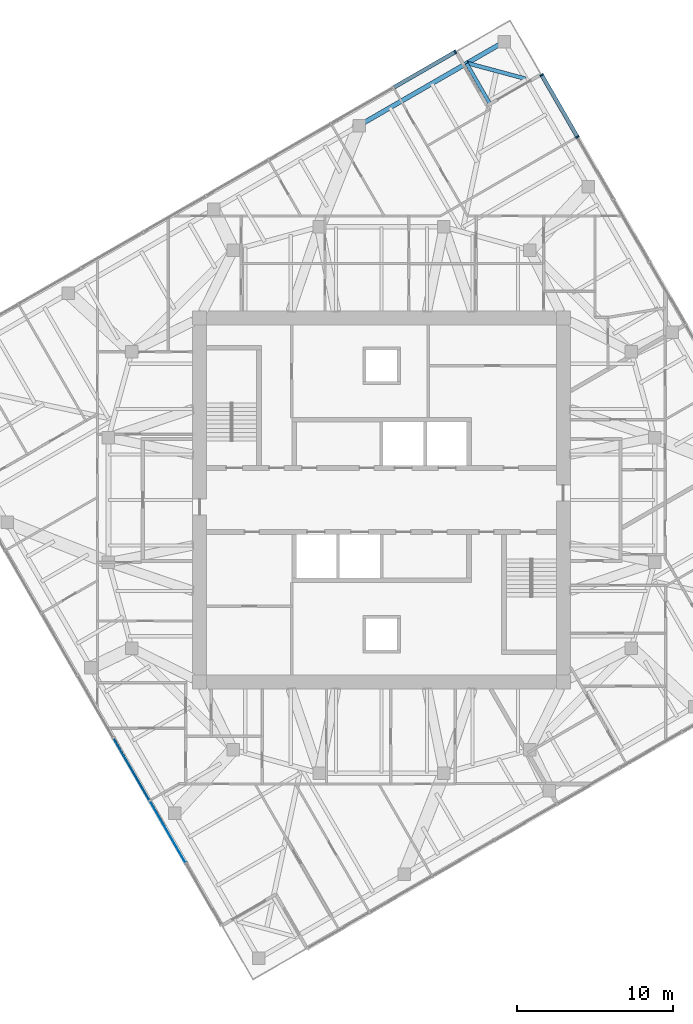
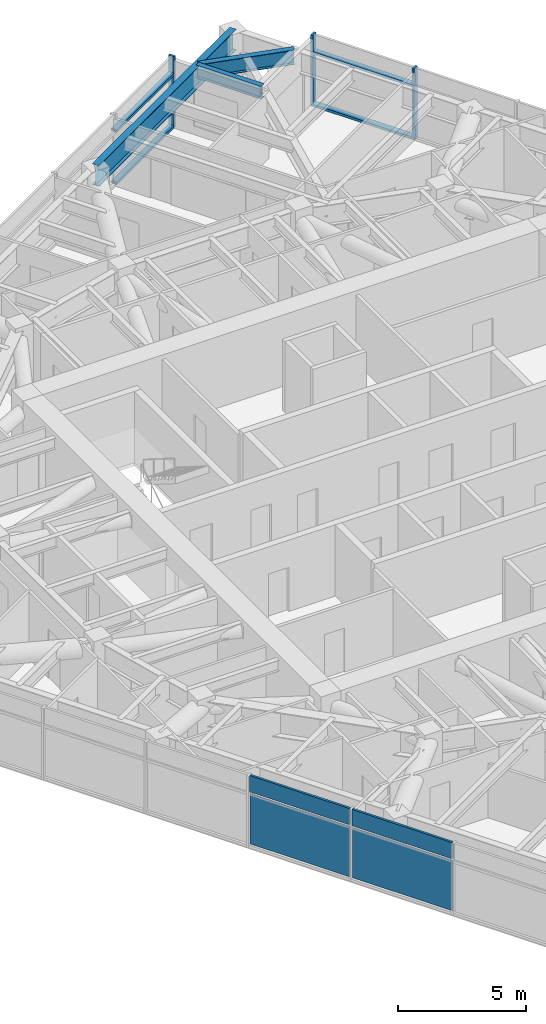
# One storey, part 7 of 16: 7 members, 4 plates, 3 beams, 3 elements without a shape of their own.
"""IFC4 building model written with IfcOpenShell, lengths in metres."""

from ifc_helpers import new_model, si_unit, direction, frame, origin, origin_2d, place, context, subcontext, project, spatial, rectangle, i_section, extrude, material, layer, layer_set, material_profile, profile_set, type_object, element, aggregate, save


model = new_model("IFC4")

# Units and contexts
model_context = context("Model", 3, precision=1e-05, world=origin(), true_north=direction((0.0, 1.0)))
body_context = subcontext(model_context, "Body", "Model", "MODEL_VIEW")
ifc_project = project(units=[si_unit("LENGTHUNIT", "METRE"), si_unit("AREAUNIT", "SQUARE_METRE"), si_unit("VOLUMEUNIT", "CUBIC_METRE"), si_unit("PLANEANGLEUNIT", "RADIAN"), si_unit("MASSUNIT", "GRAM", prefix="KILO")], contexts=[model_context])

# Site, building, storey
site_placement = place(None, origin())
site = spatial("IfcSite", under=ifc_project, at=site_placement, CompositionType="ELEMENT")
building_placement = place(site_placement, origin())
building = spatial("IfcBuilding", under=site, at=building_placement, Name="Torsade Residences", CompositionType="ELEMENT")
storey_placement = place(building_placement, frame((0.0, 0.0, 232.0)))
storey = spatial("IfcBuildingStorey", under=building, at=storey_placement, Name="L64", CompositionType="ELEMENT", Elevation=232.0)

# Beam
ifc_material_1 = material(Name="Steel grade 300", Category="steel")
ifc_material_profile_1 = material_profile(ifc_material_1, i_section(OverallWidth=0.25, OverallDepth=0.699951171875, WebThickness=0.010009765625, FlangeThickness=0.02001953125, at=origin_2d()), Name="700WB130")
ifc_profile_set_1 = profile_set([ifc_material_profile_1], Name="Steel grade 300")
beam_type_1 = type_object("IfcBeamType", Name="CORNER TRIMMER 700WB130", PredefinedType="BEAM", material=ifc_profile_set_1)
beam_1_placement = place(storey_placement, frame((45.488037109375, 57.99462890625, 2.85009765625), z_axis=(0.965924794002, -0.258822897619, 0.0), x_axis=(0.258822897619, 0.965924794002, 0.0)))
element("IfcBeam", 1, at=beam_1_placement, inside=storey, type_object=beam_type_1, Name="Corner trimmer 09 L65", PredefinedType="BEAM", context=body_context, shape_type="SweptSolid", body=[
    extrude(i_section(OverallWidth=0.25, OverallDepth=0.699951171875, WebThickness=0.010009765625, FlangeThickness=0.02001953125, at=origin_2d()), origin(), (0.0, 0.0, 1.0), 3.88916015625),
])

# Curtain wall, members
ifc_material_2 = material(Name="Aluminium and glass", Category="aluminium")
curtain_wall_type = type_object("IfcCurtainWallType", Name="FRITTED GLASS CURTAIN WALL HIGH ZONE", PredefinedType="NOTDEFINED", material=ifc_material_2)
curtain_wall_1_placement = place(storey_placement, origin())
curtain_wall_1 = element("IfcCurtainWall", 2, at=curtain_wall_1_placement, inside=storey, type_object=curtain_wall_type, Name="Curtain wall L64 face 4", PredefinedType="NOTDEFINED")
ifc_material_3 = material(Name="Aluminium mullion", Category="aluminium")
ifc_material_profile_2 = material_profile(ifc_material_3, rectangle(XDim=0.25, YDim=0.10009765625, at=origin_2d()), Name="HIGH ZONE CURTAIN WALL MULLION 250x100")
ifc_profile_set_2 = profile_set([ifc_material_profile_2], Name="Aluminium mullion")
member_type_1 = type_object("IfcMemberType", Name="HIGH ZONE CURTAIN WALL MULLION 250x100", PredefinedType="MULLION", material=ifc_profile_set_2)
member_1_placement = place(storey_placement, frame((52.548095703125, 53.26611328125, 0.0), z_axis=(0.0, 0.0, 1.0), x_axis=(-0.866025404186, -0.499999999305, 0.0)))
member_1 = element("IfcMember", 3, at=member_1_placement, type_object=member_type_1, Name="Mullion 8", PredefinedType="MULLION", context=body_context, shape_type="SweptSolid", body=[
    extrude(rectangle(XDim=0.25, YDim=0.10009765625, at=origin_2d()), origin(), (0.0, 0.0, 1.0), 3.39990234375),
])
member_2_placement = place(storey_placement, frame((50.260498046875, 57.228271484375, 0.0), z_axis=(0.0, 0.0, 1.0), x_axis=(-0.866025404186, -0.499999999305, 0.0)))
member_2 = element("IfcMember", 4, at=member_2_placement, type_object=member_type_1, Name="Mullion 9", PredefinedType="MULLION", context=body_context, shape_type="SweptSolid", body=[
    extrude(rectangle(XDim=0.25, YDim=0.10009765625, at=origin_2d()), origin(), (0.0, 0.0, 1.0), 3.39990234375),
])

# Curtain wall, member
curtain_wall_2_placement = place(storey_placement, origin())
curtain_wall_2 = element("IfcCurtainWall", 5, at=curtain_wall_2_placement, inside=storey, type_object=curtain_wall_type, Name="Curtain wall L64 face 7", PredefinedType="NOTDEFINED")
member_3_placement = place(storey_placement, frame((44.728271484375, 58.710693359375, 0.0), z_axis=(0.0, 0.0, 1.0), x_axis=(0.499999999305, -0.866025404186, 0.0)))
member_3 = element("IfcMember", 6, at=member_3_placement, type_object=member_type_1, Name="Mullion 1", PredefinedType="MULLION", context=body_context, shape_type="SweptSolid", body=[
    extrude(rectangle(XDim=0.25, YDim=0.10009765625, at=origin_2d()), origin(), (0.0, 0.0, 1.0), 3.39990234375),
])

# Member
ifc_material_4 = material(Name="Aluminium transom", Category="aluminium")
ifc_material_profile_3 = material_profile(ifc_material_4, rectangle(XDim=0.25, YDim=0.1201171875, at=origin_2d()), Name="HIGH ZONE CURTAIN WALL TRANSOM 250x120")
ifc_profile_set_3 = profile_set([ifc_material_profile_3], Name="Aluminium transom")
member_type_2 = type_object("IfcMemberType", Name="HIGH ZONE CURTAIN WALL TRANSOM 250x120", PredefinedType="USERDEFINED", material=ifc_profile_set_3)
member_4_placement = place(storey_placement, frame((52.523193359375, 53.309326171875, 0.06005859375), z_axis=(-0.50000580312, 0.866022053326, 0.0), x_axis=(-0.866022053326, -0.50000580312, 0.0)))
member_4 = element("IfcMember", 7, at=member_4_placement, type_object=member_type_2, Name="Transom 8.1", ObjectType="TRANSOM", PredefinedType="USERDEFINED", context=body_context, shape_type="SweptSolid", body=[
    extrude(rectangle(XDim=0.25, YDim=0.1201171875, at=origin_2d()), origin(), (0.0, 0.0, 1.0), 4.47509765625),
])

member_5_placement = place(storey_placement, frame((52.523193359375, 53.309326171875, 2.56005859375), z_axis=(-0.50000580312, 0.866022053326, 0.0), x_axis=(-0.866022053326, -0.50000580312, 0.0)))
member_5 = element("IfcMember", 8, at=member_5_placement, type_object=member_type_2, Name="Transom 8.2", ObjectType="TRANSOM", PredefinedType="USERDEFINED", context=body_context, shape_type="SweptSolid", body=[
    extrude(rectangle(XDim=0.25, YDim=0.1201171875, at=origin_2d()), origin(), (0.0, 0.0, 1.0), 4.47509765625),
])

aggregate(curtain_wall_1, [member_1, member_2, member_4, member_5])

member_6_placement = place(storey_placement, frame((44.684814453125, 58.685546875, 0.06005859375), z_axis=(-0.866022053326, -0.50000580312, 0.0), x_axis=(0.50000580312, -0.866022053326, 0.0)))
member_6 = element("IfcMember", 9, at=member_6_placement, type_object=member_type_2, Name="Transom 1.1", ObjectType="TRANSOM", PredefinedType="USERDEFINED", context=body_context, shape_type="SweptSolid", body=[
    extrude(rectangle(XDim=0.25, YDim=0.1201171875, at=origin_2d()), origin(), (0.0, 0.0, 1.0), 4.47509765625),
])

member_7_placement = place(storey_placement, frame((44.684814453125, 58.685546875, 2.56005859375), z_axis=(-0.866022053326, -0.50000580312, 0.0), x_axis=(0.50000580312, -0.866022053326, 0.0)))
member_7 = element("IfcMember", 10, at=member_7_placement, type_object=member_type_2, Name="Transom 1.2", ObjectType="TRANSOM", PredefinedType="USERDEFINED", context=body_context, shape_type="SweptSolid", body=[
    extrude(rectangle(XDim=0.25, YDim=0.1201171875, at=origin_2d()), origin(), (0.0, 0.0, 1.0), 4.47509765625),
])

aggregate(curtain_wall_2, [member_3, member_6, member_7])

# Beams
ifc_material_5 = material(Name="Steel grade 300", Category="steel")
ifc_material_profile_4 = material_profile(ifc_material_5, i_section(OverallWidth=0.22900390625, OverallDepth=0.612060546875, WebThickness=0.011962890625, FlangeThickness=0.01953125, FilletRadius=0.013916015625, at=origin_2d()), Name="610UB125")
ifc_profile_set_4 = profile_set([ifc_material_profile_4], Name="Steel grade 300")
beam_type_2 = type_object("IfcBeamType", Name="SECONDARY BEAM 610UB125", PredefinedType="JOIST", material=ifc_profile_set_4)
beam_2_placement = place(storey_placement, frame((45.451904296875, 57.9736328125, 2.89404296875), z_axis=(0.500014013, -0.866017313224, 0.0), x_axis=(0.866017313224, 0.500014013, 0.0)))
element("IfcBeam", 11, at=beam_2_placement, inside=storey, type_object=beam_type_2, Name="Floor beam FN01 L65", PredefinedType="JOIST", context=body_context, shape_type="SweptSolid", body=[
    extrude(i_section(OverallWidth=0.22900390625, OverallDepth=0.612060546875, WebThickness=0.011962890625, FlangeThickness=0.01953125, FilletRadius=0.013916015625, at=origin_2d()), origin(), (0.0, 0.0, 1.0), 2.94775390625),
])
ifc_material_6 = material(Name="Steel grade 300", Category="steel")
ifc_material_profile_5 = material_profile(ifc_material_6, i_section(OverallWidth=0.300048828125, OverallDepth=1.0, WebThickness=0.01611328125, FlangeThickness=0.028076171875, at=origin_2d()), Name="1000WB215")
ifc_profile_set_5 = profile_set([ifc_material_profile_5], Name="Steel grade 300")
beam_type_3 = type_object("IfcBeamType", Name="TRANSFER TRUSS CHORD 1000WB215", PredefinedType="USERDEFINED", material=ifc_profile_set_5)
beam_3_placement = place(storey_placement, frame((47.86962890625, 59.36962890625, 2.699951171875), z_axis=(-0.866026365697, -0.499998333915, 0.0), x_axis=(0.499998333915, -0.866026365697, 0.0)))
element("IfcBeam", 12, at=beam_3_placement, inside=storey, type_object=beam_type_3, Name="Transfer truss TT7 bottom chord 09", ObjectType="TRANSFER TRUSS CHORD", PredefinedType="USERDEFINED", context=body_context, shape_type="SweptSolid", body=[
    extrude(i_section(OverallWidth=0.300048828125, OverallDepth=1.0, WebThickness=0.01611328125, FlangeThickness=0.028076171875, at=origin_2d()), origin(), (0.0, 0.0, 1.0), 10.75),
])

# Curtain wall, plates
curtain_wall_3_placement = place(storey_placement, origin())
curtain_wall_3 = element("IfcCurtainWall", 13, at=curtain_wall_3_placement, inside=storey, type_object=curtain_wall_type, Name="Curtain wall L64 face 10", PredefinedType="NOTDEFINED")
ifc_material_7 = material(Name="Laminated glass", Category="glass")
ifc_layer_1 = layer(ifc_material_7, 0.031982421875)
ifc_layer_set_1 = layer_set([ifc_layer_1], Name="Laminated glass")
plate_type_1 = type_object("IfcPlateType", Name="FRITTED GLASS PANEL", PredefinedType="CURTAIN_PANEL", material=ifc_layer_set_1)
plate_1_placement = place(storey_placement, frame((26.295654296875, 8.736572265625, 0.1201171875), z_axis=(0.0, 0.0, 1.0), x_axis=(0.499999999305, -0.866025404186, 0.0)))
plate_1 = element("IfcPlate", 14, at=plate_1_placement, type_object=plate_type_1, Name="Panel 7", PredefinedType="CURTAIN_PANEL", context=body_context, shape_type="SweptSolid", body=[
    extrude(rectangle(XDim=4.52490234375, YDim=0.031982421875, at=origin_2d()), origin(), (0.0, 0.0, 1.0), 2.3798828125),
])
ifc_material_8 = material(Name="Aluminium composite spandrel panel", Category="aluminium")
ifc_layer_2 = layer(ifc_material_8, 0.10009765625)
ifc_layer_set_2 = layer_set([ifc_layer_2], Name="Aluminium composite spandrel panel")
plate_type_2 = type_object("IfcPlateType", Name="OPAQUE SPANDREL PANEL", PredefinedType="CURTAIN_PANEL", material=ifc_layer_set_2)
plate_2_placement = place(storey_placement, frame((23.983154296875, 12.741943359375, 2.6201171875), z_axis=(0.0, 0.0, 1.0), x_axis=(0.499999999305, -0.866025404186, 0.0)))
plate_2 = element("IfcPlate", 15, at=plate_2_placement, type_object=plate_type_2, Name="Spandrel panel 6", PredefinedType="CURTAIN_PANEL", context=body_context, shape_type="SweptSolid", body=[
    extrude(rectangle(XDim=4.52490234375, YDim=0.10009765625, at=origin_2d()), origin(), (0.0, 0.0, 1.0), 0.780029296875),
])
plate_3_placement = place(storey_placement, frame((26.295654296875, 8.736572265625, 2.6201171875), z_axis=(0.0, 0.0, 1.0), x_axis=(0.499999999305, -0.866025404186, 0.0)))
plate_3 = element("IfcPlate", 16, at=plate_3_placement, type_object=plate_type_2, Name="Spandrel panel 7", PredefinedType="CURTAIN_PANEL", context=body_context, shape_type="SweptSolid", body=[
    extrude(rectangle(XDim=4.52490234375, YDim=0.10009765625, at=origin_2d()), origin(), (0.0, 0.0, 1.0), 0.780029296875),
])
ifc_material_9 = material(Name="Laminated glass", Category="glass")
ifc_layer_3 = layer(ifc_material_9, 0.0400390625)
ifc_layer_set_3 = layer_set([ifc_layer_3], Name="Laminated glass")
plate_type_3 = type_object("IfcPlateType", Name="OPERABLE VENT PANEL", PredefinedType="CURTAIN_PANEL", material=ifc_layer_set_3)
plate_4_placement = place(storey_placement, frame((23.983154296875, 12.741943359375, 0.1201171875), z_axis=(0.0, 0.0, 1.0), x_axis=(0.499999999305, -0.866025404186, 0.0)))
plate_4 = element("IfcPlate", 17, at=plate_4_placement, type_object=plate_type_3, Name="Panel 6", PredefinedType="CURTAIN_PANEL", context=body_context, shape_type="SweptSolid", body=[
    extrude(rectangle(XDim=4.52490234375, YDim=0.0400390625, at=origin_2d()), origin(), (0.0, 0.0, 1.0), 2.3798828125),
])
aggregate(curtain_wall_3, [plate_4, plate_2, plate_1, plate_3])

save(model, "model.ifc")
